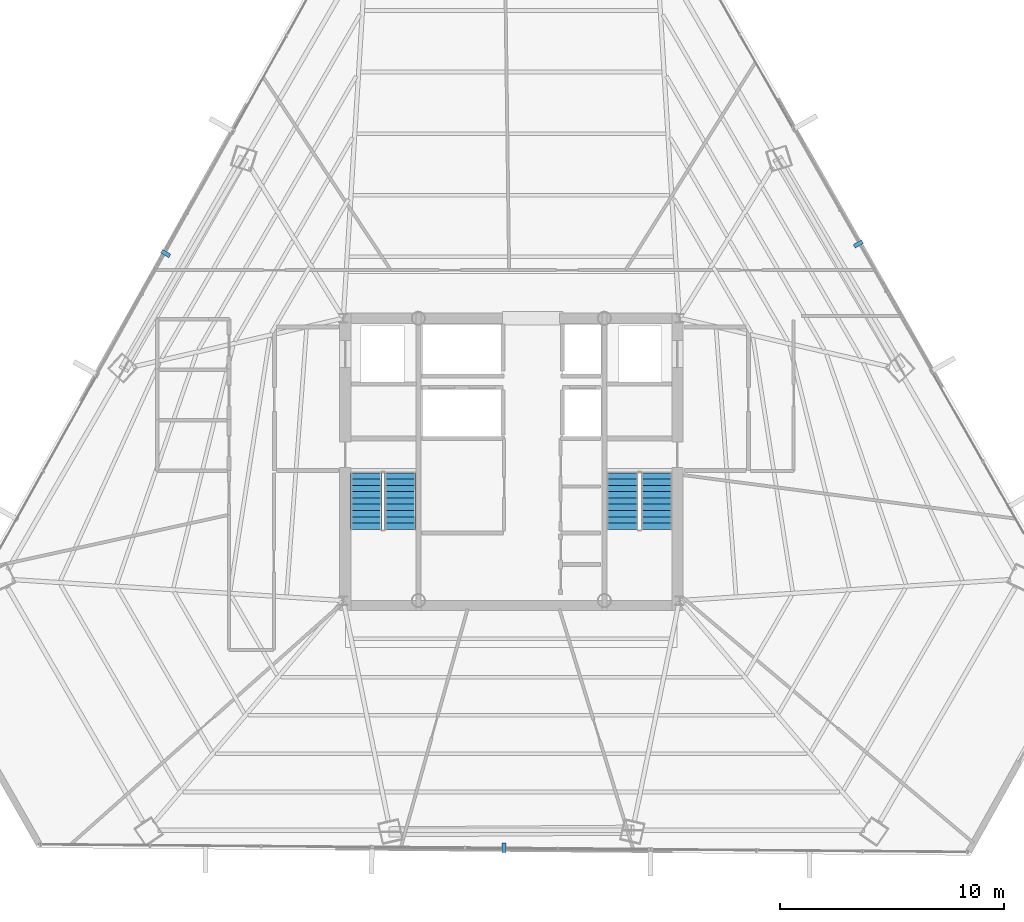
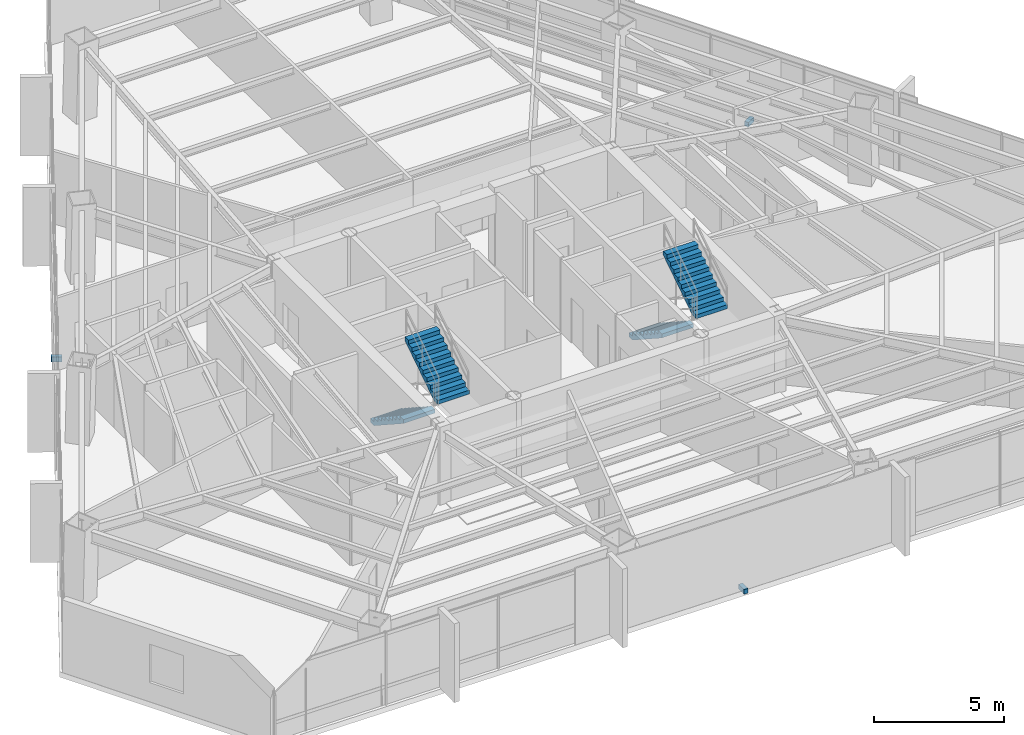
# One storey, part 36 of 39: 4 stair flights, 3 discrete accessories, 2 elements without a shape of their own.
"""IFC4 building model written with IfcOpenShell, lengths in metres."""

from ifc_helpers import new_model, si_unit, direction, frame, origin, origin_2d, place, context, subcontext, project, spatial, polyline, rectangle, outline, extrude, source, transform, mapped, material, type_object, type_shapes, element, aggregate, save


model = new_model("IFC4")

# Units and contexts
model_context = context("Model", 3, precision=1e-05, world=origin(), true_north=direction((0.0, 1.0)))
body_context = subcontext(model_context, "Body", "Model", "MODEL_VIEW")
ifc_project = project(units=[si_unit("LENGTHUNIT", "METRE"), si_unit("AREAUNIT", "SQUARE_METRE"), si_unit("VOLUMEUNIT", "CUBIC_METRE"), si_unit("PLANEANGLEUNIT", "RADIAN"), si_unit("MASSUNIT", "GRAM", prefix="KILO")], contexts=[model_context])

# Site, building, storey
site_placement = place(None, origin())
site = spatial("IfcSite", under=ifc_project, at=site_placement, CompositionType="ELEMENT")
building_placement = place(site_placement, origin())
building = spatial("IfcBuilding", under=site, at=building_placement, Name="Caelisora Broadcast Tower", CompositionType="ELEMENT")
storey_placement = place(building_placement, frame((0.0, 0.0, 142.75)))
storey = spatial("IfcBuildingStorey", under=building, at=storey_placement, Name="L37", CompositionType="ELEMENT", Elevation=142.75)

# Stair, stair flights
ifc_material_1 = material(Name="Concrete 40 MPa (AS 3600 N40)", Category="concrete")
stair_type_1 = type_object("IfcStairType", Name="ST-1", PredefinedType="HALF_TURN_STAIR", material=ifc_material_1)
stair_1_placement = place(storey_placement, origin())
stair_1 = element("IfcStair", 1, at=stair_1_placement, inside=storey, type_object=stair_type_1, Name="L37 West Fire-Isolated Tower Stair", PredefinedType="HALF_TURN_STAIR")
stair_flight_type = type_object("IfcStairFlightType", Name="STF-3", PredefinedType="STRAIGHT", material=ifc_material_1)
stair_flight_1_placement = place(storey_placement, frame((31.52001953125, 23.10009765625, 0.0), z_axis=(0.0, 0.0, 1.0), x_axis=(0.0, -1.0, 0.0)))
stair_flight_1 = element("IfcStairFlight", 2, at=stair_flight_1_placement, type_object=stair_flight_type, Name="ST-1 flight 1", NumberOfRisers=10, NumberOfTreads=9, PredefinedType="STRAIGHT", RiserHeight=0.1825, TreadLength=0.28, context=body_context, shape_type="SweptSolid", body=[
    extrude(outline(polyline([(0.0, 0.0), (0.0, 0.1826171875), (0.280029296875, 0.1826171875), (0.280029296875, 0.364990234375), (0.56005859375, 0.364990234375), (0.56005859375, 0.547607421875), (0.840087890625, 0.547607421875), (0.840087890625, 0.72998046875), (1.1201171875, 0.72998046875), (1.1201171875, 0.91259765625), (1.39990234375, 0.91259765625), (1.39990234375, 1.094970703125), (1.679931640625, 1.094970703125), (1.679931640625, 1.277587890625), (1.9599609375, 1.277587890625), (1.9599609375, 1.4599609375), (2.239990234375, 1.4599609375), (2.239990234375, 1.642578125), (2.52001953125, 1.642578125), (2.52001953125, 1.824951171875), (2.52001953125, 1.463623046875), (0.2744140625, 0.0), (0.0, 0.0)])), frame((0.0, 0.699951171875, 0.0), z_axis=(0.0, -1.0, 0.0), x_axis=(1.0, 0.0, 0.0)), (0.0, 0.0, 1.0), 1.39990234375),
])
stair_flight_2_placement = place(storey_placement, frame((33.0400390625, 20.580078125, 1.824951171875), z_axis=(0.0, 0.0, 1.0), x_axis=(0.0, 1.0, 0.0)))
stair_flight_2 = element("IfcStairFlight", 3, at=stair_flight_2_placement, type_object=stair_flight_type, Name="ST-1 flight 2", NumberOfRisers=10, NumberOfTreads=9, PredefinedType="STRAIGHT", RiserHeight=0.1825, TreadLength=0.28, context=body_context, shape_type="SweptSolid", body=[
    extrude(outline(polyline([(0.0, 0.0), (0.0, 0.1826171875), (0.280029296875, 0.1826171875), (0.280029296875, 0.364990234375), (0.56005859375, 0.364990234375), (0.56005859375, 0.547607421875), (0.840087890625, 0.547607421875), (0.840087890625, 0.72998046875), (1.1201171875, 0.72998046875), (1.1201171875, 0.91259765625), (1.39990234375, 0.91259765625), (1.39990234375, 1.094970703125), (1.679931640625, 1.094970703125), (1.679931640625, 1.277587890625), (1.9599609375, 1.277587890625), (1.9599609375, 1.4599609375), (2.239990234375, 1.4599609375), (2.239990234375, 1.642578125), (2.52001953125, 1.642578125), (2.52001953125, 1.824951171875), (2.52001953125, 1.463623046875), (0.2744140625, 0.0), (0.0, 0.0)])), frame((0.0, 0.699951171875, 0.0), z_axis=(0.0, -1.0, 0.0), x_axis=(1.0, 0.0, 0.0)), (0.0, 0.0, 1.0), 1.39990234375),
])
aggregate(stair_1, [stair_flight_1, stair_flight_2])

stair_type_2 = type_object("IfcStairType", Name="ST-2", PredefinedType="HALF_TURN_STAIR", material=ifc_material_1)
stair_2_placement = place(storey_placement, origin())
stair_2 = element("IfcStair", 4, at=stair_2_placement, inside=storey, type_object=stair_type_2, Name="L37 East Fire-Isolated Tower Stair", PredefinedType="HALF_TURN_STAIR")
stair_flight_3_placement = place(storey_placement, frame((42.9599609375, 23.10009765625, 0.0), z_axis=(0.0, 0.0, 1.0), x_axis=(0.0, -1.0, 0.0)))
stair_flight_3 = element("IfcStairFlight", 5, at=stair_flight_3_placement, type_object=stair_flight_type, Name="ST-2 flight 1", NumberOfRisers=10, NumberOfTreads=9, PredefinedType="STRAIGHT", RiserHeight=0.1825, TreadLength=0.28, context=body_context, shape_type="SweptSolid", body=[
    extrude(outline(polyline([(0.0, 0.0), (0.0, 0.1826171875), (0.280029296875, 0.1826171875), (0.280029296875, 0.364990234375), (0.56005859375, 0.364990234375), (0.56005859375, 0.547607421875), (0.840087890625, 0.547607421875), (0.840087890625, 0.72998046875), (1.1201171875, 0.72998046875), (1.1201171875, 0.91259765625), (1.39990234375, 0.91259765625), (1.39990234375, 1.094970703125), (1.679931640625, 1.094970703125), (1.679931640625, 1.277587890625), (1.9599609375, 1.277587890625), (1.9599609375, 1.4599609375), (2.239990234375, 1.4599609375), (2.239990234375, 1.642578125), (2.52001953125, 1.642578125), (2.52001953125, 1.824951171875), (2.52001953125, 1.463623046875), (0.2744140625, 0.0), (0.0, 0.0)])), frame((0.0, 0.699951171875, 0.0), z_axis=(0.0, -1.0, 0.0), x_axis=(1.0, 0.0, 0.0)), (0.0, 0.0, 1.0), 1.39990234375),
])
stair_flight_4_placement = place(storey_placement, frame((44.47998046875, 20.580078125, 1.824951171875), z_axis=(0.0, 0.0, 1.0), x_axis=(0.0, 1.0, 0.0)))
stair_flight_4 = element("IfcStairFlight", 6, at=stair_flight_4_placement, type_object=stair_flight_type, Name="ST-2 flight 2", NumberOfRisers=10, NumberOfTreads=9, PredefinedType="STRAIGHT", RiserHeight=0.1825, TreadLength=0.28, context=body_context, shape_type="SweptSolid", body=[
    extrude(outline(polyline([(0.0, 0.0), (0.0, 0.1826171875), (0.280029296875, 0.1826171875), (0.280029296875, 0.364990234375), (0.56005859375, 0.364990234375), (0.56005859375, 0.547607421875), (0.840087890625, 0.547607421875), (0.840087890625, 0.72998046875), (1.1201171875, 0.72998046875), (1.1201171875, 0.91259765625), (1.39990234375, 0.91259765625), (1.39990234375, 1.094970703125), (1.679931640625, 1.094970703125), (1.679931640625, 1.277587890625), (1.9599609375, 1.277587890625), (1.9599609375, 1.4599609375), (2.239990234375, 1.4599609375), (2.239990234375, 1.642578125), (2.52001953125, 1.642578125), (2.52001953125, 1.824951171875), (2.52001953125, 1.463623046875), (0.2744140625, 0.0), (0.0, 0.0)])), frame((0.0, 0.699951171875, 0.0), z_axis=(0.0, -1.0, 0.0), x_axis=(1.0, 0.0, 0.0)), (0.0, 0.0, 1.0), 1.39990234375),
])
aggregate(stair_2, [stair_flight_3, stair_flight_4])

# Discrete accessories
ifc_material_2 = material(Name="Steel Grade 350 (AS/NZS 3679.1)", Category="steel")
discrete_accessory_type = type_object("IfcDiscreteAccessoryType", Name="BRK-1", PredefinedType="BRACKET", material=ifc_material_2)
shared_shape = source(origin(), body_context, "Body", "SweptSolid", [
    extrude(rectangle(XDim=0.179931640625, YDim=0.419921875, at=origin_2d()), origin(), (0.0, 0.0, 1.0), 0.219970703125),
])
type_shapes(discrete_accessory_type, [shared_shape])
for number, where, z_axis, x_axis, name in (
    (7, (22.572021484375, 32.8876953125, -0.16015625), (0.0, 0.0, 1.0), (-0.487707298065, -0.873007211547, 0.0), "L37 solar screen outrigger bracket #1"),
    (8, (37.6689453125, 6.3759765625, -0.16015625), (0.0, 0.0, 1.0), (0.999966355195, -0.008202955488, 0.0), "L37 solar screen outrigger bracket #2"),
    (9, (53.486572265625, 33.31396484375, -0.16015625), (0.0, 0.0, 1.0), (-0.494852128545, 0.868977198133, 0.0), "L37 solar screen outrigger bracket #3"),
):
    element("IfcDiscreteAccessory", number, at=place(storey_placement, frame(where, z_axis=z_axis, x_axis=x_axis)), inside=storey, type_object=discrete_accessory_type, Name=name, PredefinedType="BRACKET", context=body_context, shape_type="MappedRepresentation", body=[
        mapped(shared_shape, transform((0.0, 0.0, 0.0), scale=1.0)),
    ])

save(model, "model.ifc")
